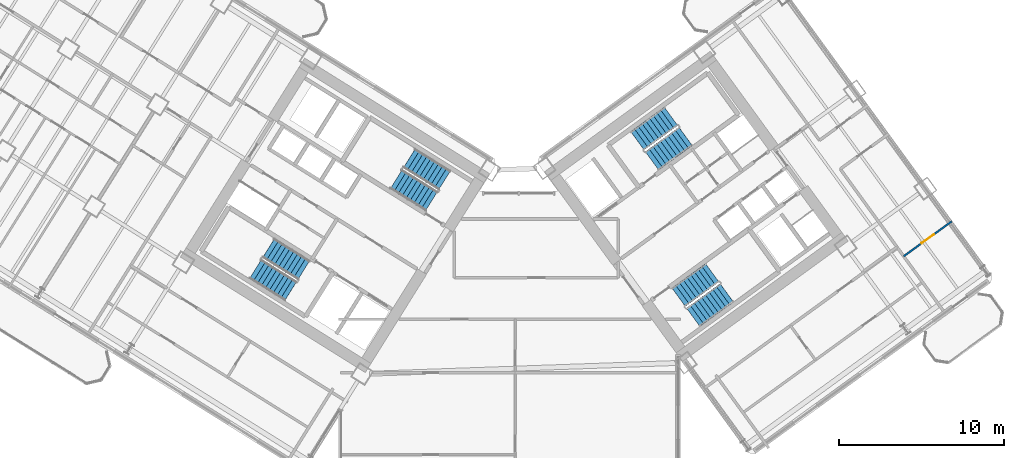
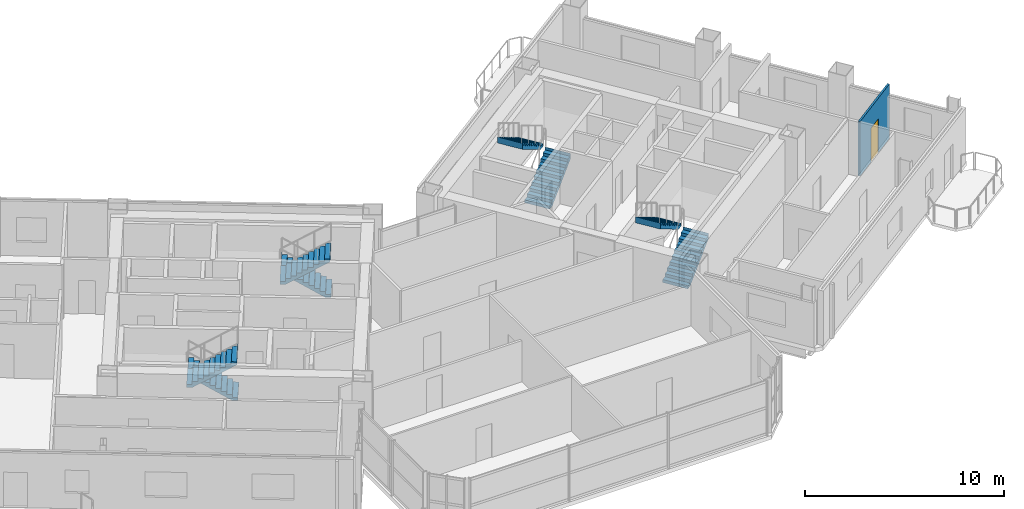
# One storey, part 20 of 28: 8 stair flights, 1 door, 1 wall, 1 opening, 4 elements without a shape of their own.
"""IFC4 building model written with IfcOpenShell, lengths in metres."""

from ifc_helpers import new_model, si_unit, direction, frame, frame_2d, origin, place, context, subcontext, project, spatial, polyline, rectangle, outline, extrude, source, transform, mapped, material, layer, layer_set, type_object, element, fill, aggregate, save


model = new_model("IFC4")

# Units and contexts
model_context = context("Model", 3, precision=1e-05, world=origin(), true_north=direction((0.0, 1.0)))
body_context = subcontext(model_context, "Body", "Model", "MODEL_VIEW")
ifc_project = project(units=[si_unit("LENGTHUNIT", "METRE"), si_unit("AREAUNIT", "SQUARE_METRE"), si_unit("VOLUMEUNIT", "CUBIC_METRE"), si_unit("PLANEANGLEUNIT", "RADIAN"), si_unit("MASSUNIT", "GRAM", prefix="KILO")], contexts=[model_context])

# Site, building, storey
site_placement = place(None, origin())
site = spatial("IfcSite", under=ifc_project, at=site_placement, CompositionType="ELEMENT")
building_placement = place(site_placement, origin())
building = spatial("IfcBuilding", under=site, at=building_placement, Name="Tlacorven Tower", CompositionType="ELEMENT")
storey_placement = place(building_placement, frame((0.0, 0.0, 63.60009765625)))
storey = spatial("IfcBuildingStorey", under=building, at=storey_placement, Name="L16", CompositionType="ELEMENT", Elevation=63.60009765625)

# Wall, opening, door
ifc_material_1 = material(Name="Gypsum plasterboard partition", Category="gypsum")
ifc_layer = layer(ifc_material_1, 0.110107421875)
ifc_layer_set = layer_set([ifc_layer], Name="Gypsum plasterboard partition")
wall_type = type_object("IfcWallType", Name="WL-INT-110", PredefinedType="PARTITIONING", material=ifc_layer_set)
wall_placement = place(storey_placement, frame((65.9443359375, 19.237548828125, 0.0), z_axis=(0.0, 0.0, 1.0), x_axis=(0.809013833588, 0.587789602718, 0.0)))
wall = element("IfcWall", 1, at=wall_placement, inside=storey, type_object=wall_type, Name="L16 partition 97", PredefinedType="PARTITIONING", context=body_context, shape_type="SweptSolid", body=[
    extrude(rectangle(XDim=3.60986328125, YDim=0.110107421875, at=frame_2d((1.804931640625, 0.0))), origin(), (0.0, 0.0, 1.0), 3.33984375),
])
opening_placement = place(wall_placement, frame((1.344970703125, 0.0, 0.0)))
opening = element("IfcOpeningElement", 2, at=opening_placement, cuts=wall, Name="Opening D12", PredefinedType="OPENING", context=body_context, shape_type="SweptSolid", body=[
    extrude(rectangle(XDim=0.919921875, YDim=2.080078125, at=frame_2d((0.4599609375, 1.0400390625))), frame((0.0, 0.06494140625, 0.0), z_axis=(0.0, -1.0, 0.0), x_axis=(1.0, 0.0, 0.0)), (0.0, 0.0, 1.0), 0.130126953125),
])
ifc_material_2 = material(Name="Powder-coated aluminium and timber door", Category="wood")
door_type = type_object("IfcDoorType", Name="DR-INT-ROOM-0920", OperationType="NOTDEFINED", PredefinedType="DOOR", material=ifc_material_2)
shared_shape_1 = source(origin(), body_context, "Body", "SweptSolid", [
    extrude(rectangle(XDim=0.919921875, YDim=2.080078125, at=frame_2d((0.4599609375, 1.0400390625))), frame((0.0, 0.02490234375, 0.0), z_axis=(0.0, -1.0, 0.0), x_axis=(1.0, 0.0, 0.0)), (0.0, 0.0, 1.0), 0.050048828125),
])
door_placement = place(opening_placement, origin())
door = element("IfcDoor", 3, at=door_placement, inside=storey, type_object=door_type, Name="L16 door 058", OperationType="SINGLE_SWING_RIGHT", OverallHeight=2.080078125, OverallWidth=0.919921875, PredefinedType="DOOR", context=body_context, shape_type="MappedRepresentation", body=[
    mapped(shared_shape_1, transform((0.0, 0.0, 0.0), scale=1.0)),
])
fill(opening, door)

# Stair, stair flights
ifc_material_3 = material(Name="Concrete C40/50", Category="concrete")
stair_type = type_object("IfcStairType", Name="ST-CORE-DLG", PredefinedType="HALF_TURN_STAIR", material=ifc_material_3)
stair_1_placement = place(storey_placement, origin())
stair_1 = element("IfcStair", 4, at=stair_1_placement, inside=storey, type_object=stair_type, Name="L16 Protected Exit Stair West 1", PredefinedType="HALF_TURN_STAIR")
stair_flight_type = type_object("IfcStairFlightType", Name="SFL-RC-1380", PredefinedType="STRAIGHT", material=ifc_material_3)
shared_shape_2 = source(origin(), body_context, "Body", "SweptSolid", [
    extrude(outline(polyline([(-0.0029296875, -0.0029296875), (-0.0029296875, 0.179931640625), (0.280029296875, 0.179931640625), (0.280029296875, 0.360107421875), (0.56005859375, 0.360107421875), (0.56005859375, 0.5400390625), (0.840087890625, 0.5400390625), (0.840087890625, 0.719970703125), (1.1201171875, 0.719970703125), (1.1201171875, 0.89990234375), (1.39990234375, 0.89990234375), (1.39990234375, 1.080078125), (1.679931640625, 1.080078125), (1.679931640625, 1.260009765625), (1.9599609375, 1.260009765625), (1.9599609375, 1.43994140625), (2.239990234375, 1.43994140625), (2.239990234375, 1.6201171875), (2.52001953125, 1.6201171875), (2.52001953125, 1.800048828125), (2.52294921875, 1.800048828125), (2.52294921875, 1.429931640625), (2.52001953125, 1.429931640625), (0.295654296875, 0.0), (0.295654296875, -0.0029296875), (-0.0029296875, -0.0029296875)])), frame((0.0, 0.68994140625, 0.0), z_axis=(0.0, -1.0, 0.0), x_axis=(1.0, 0.0, 0.0)), (0.0, 0.0, 1.0), 1.3798828125),
])
stair_flight_1_placement = place(storey_placement, frame((29.499755859375, 18.39453125, 0.0), z_axis=(0.0, 0.0, 1.0), x_axis=(-0.848048096156, 0.529919264233, 0.0)))
stair_flight_1 = element("IfcStairFlight", 5, at=stair_flight_1_placement, type_object=stair_flight_type, Name="ST-W1 flight 1", NumberOfRisers=10, NumberOfTreads=9, PredefinedType="STRAIGHT", RiserHeight=0.18, TreadLength=0.28, context=body_context, shape_type="MappedRepresentation", body=[
    mapped(shared_shape_2, transform((0.0, 0.0, 0.0), scale=1.0)),
])
stair_flight_2_placement = place(storey_placement, frame((26.56787109375, 18.4580078125, 1.7998046875), z_axis=(0.0, 0.0, 1.0), x_axis=(0.848048096156, -0.529919264233, 0.0)))
stair_flight_2 = element("IfcStairFlight", 6, at=stair_flight_2_placement, type_object=stair_flight_type, Name="ST-W1 flight 2", NumberOfRisers=10, NumberOfTreads=9, PredefinedType="STRAIGHT", RiserHeight=0.18, TreadLength=0.28, context=body_context, shape_type="MappedRepresentation", body=[
    mapped(shared_shape_2, transform((0.0, 0.0, 0.0), scale=1.0)),
])
aggregate(stair_1, [stair_flight_1, stair_flight_2])

stair_2_placement = place(storey_placement, origin())
stair_2 = element("IfcStair", 7, at=stair_2_placement, inside=storey, type_object=stair_type, Name="L16 Protected Exit Stair West 2", PredefinedType="HALF_TURN_STAIR")
stair_flight_3_placement = place(storey_placement, frame((38.051513671875, 23.852294921875, 0.0), z_axis=(0.0, 0.0, 1.0), x_axis=(-0.848048096156, 0.529919264233, 0.0)))
stair_flight_3 = element("IfcStairFlight", 8, at=stair_flight_3_placement, type_object=stair_flight_type, Name="ST-W2 flight 1", NumberOfRisers=10, NumberOfTreads=9, PredefinedType="STRAIGHT", RiserHeight=0.18, TreadLength=0.28, context=body_context, shape_type="MappedRepresentation", body=[
    mapped(shared_shape_2, transform((0.0, 0.0, 0.0), scale=1.0)),
])
stair_flight_4_placement = place(storey_placement, frame((35.119384765625, 23.91552734375, 1.7998046875), z_axis=(0.0, 0.0, 1.0), x_axis=(0.848048096156, -0.529919264233, 0.0)))
stair_flight_4 = element("IfcStairFlight", 9, at=stair_flight_4_placement, type_object=stair_flight_type, Name="ST-W2 flight 2", NumberOfRisers=10, NumberOfTreads=9, PredefinedType="STRAIGHT", RiserHeight=0.18, TreadLength=0.28, context=body_context, shape_type="MappedRepresentation", body=[
    mapped(shared_shape_2, transform((0.0, 0.0, 0.0), scale=1.0)),
])
aggregate(stair_2, [stair_flight_3, stair_flight_4])

stair_3_placement = place(storey_placement, origin())
stair_3 = element("IfcStair", 10, at=stair_3_placement, inside=storey, type_object=stair_type, Name="L16 Protected Exit Stair East 1", PredefinedType="HALF_TURN_STAIR")
stair_flight_5_placement = place(storey_placement, frame((50.6533203125, 25.0400390625, 0.0), z_axis=(0.0, 0.0, 1.0), x_axis=(0.809016994375, 0.587785252292, 0.0)))
stair_flight_5 = element("IfcStairFlight", 11, at=stair_flight_5_placement, type_object=stair_flight_type, Name="ST-E1 flight 1", NumberOfRisers=10, NumberOfTreads=9, PredefinedType="STRAIGHT", RiserHeight=0.18, TreadLength=0.28, context=body_context, shape_type="MappedRepresentation", body=[
    mapped(shared_shape_2, transform((0.0, 0.0, 0.0), scale=1.0)),
])
stair_flight_6_placement = place(storey_placement, frame((51.810546875, 27.734619140625, 1.7998046875), z_axis=(0.0, 0.0, 1.0), x_axis=(-0.809016994375, -0.587785252292, 0.0)))
stair_flight_6 = element("IfcStairFlight", 12, at=stair_flight_6_placement, type_object=stair_flight_type, Name="ST-E1 flight 2", NumberOfRisers=10, NumberOfTreads=9, PredefinedType="STRAIGHT", RiserHeight=0.18, TreadLength=0.28, context=body_context, shape_type="MappedRepresentation", body=[
    mapped(shared_shape_2, transform((0.0, 0.0, 0.0), scale=1.0)),
])
aggregate(stair_3, [stair_flight_5, stair_flight_6])

stair_4_placement = place(storey_placement, origin())
stair_4 = element("IfcStair", 13, at=stair_4_placement, inside=storey, type_object=stair_type, Name="L16 Protected Exit Stair East 2", PredefinedType="HALF_TURN_STAIR")
stair_flight_7_placement = place(storey_placement, frame((53.157470703125, 15.536865234375, 0.0), z_axis=(0.0, 0.0, 1.0), x_axis=(0.809016994375, 0.587785252292, 0.0)))
stair_flight_7 = element("IfcStairFlight", 14, at=stair_flight_7_placement, type_object=stair_flight_type, Name="ST-E2 flight 1", NumberOfRisers=10, NumberOfTreads=9, PredefinedType="STRAIGHT", RiserHeight=0.18, TreadLength=0.28, context=body_context, shape_type="MappedRepresentation", body=[
    mapped(shared_shape_2, transform((0.0, 0.0, 0.0), scale=1.0)),
])
stair_flight_8_placement = place(storey_placement, frame((54.314453125, 18.231689453125, 1.7998046875), z_axis=(0.0, 0.0, 1.0), x_axis=(-0.809016994375, -0.587785252292, 0.0)))
stair_flight_8 = element("IfcStairFlight", 15, at=stair_flight_8_placement, type_object=stair_flight_type, Name="ST-E2 flight 2", NumberOfRisers=10, NumberOfTreads=9, PredefinedType="STRAIGHT", RiserHeight=0.18, TreadLength=0.28, context=body_context, shape_type="MappedRepresentation", body=[
    mapped(shared_shape_2, transform((0.0, 0.0, 0.0), scale=1.0)),
])
aggregate(stair_4, [stair_flight_7, stair_flight_8])

save(model, "model.ifc")
